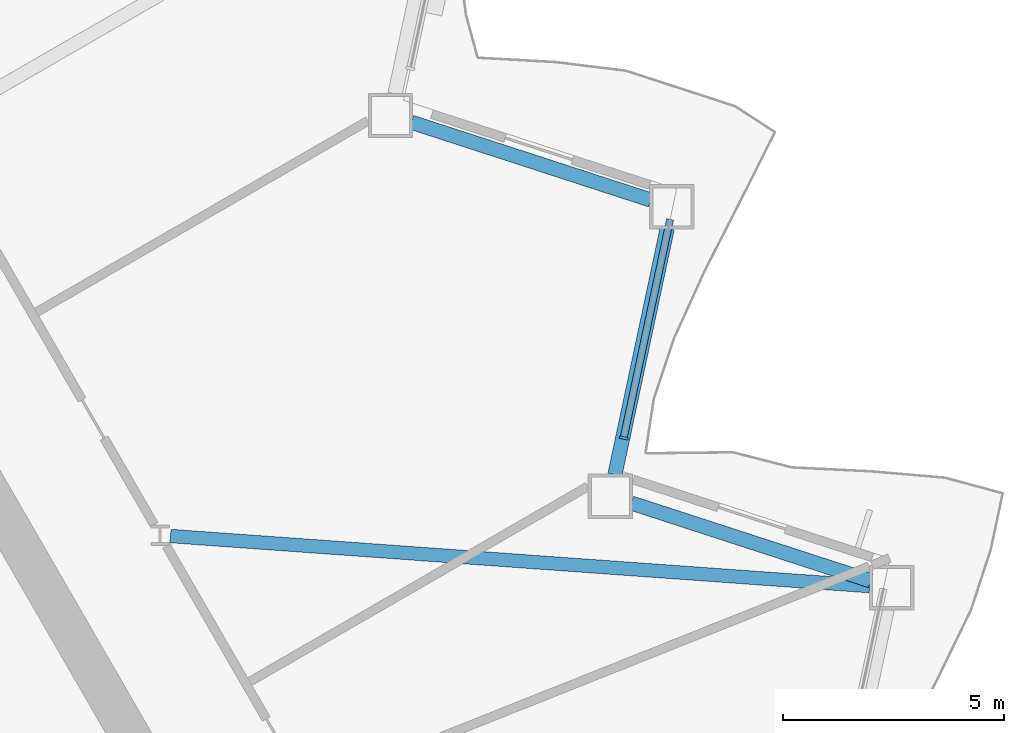
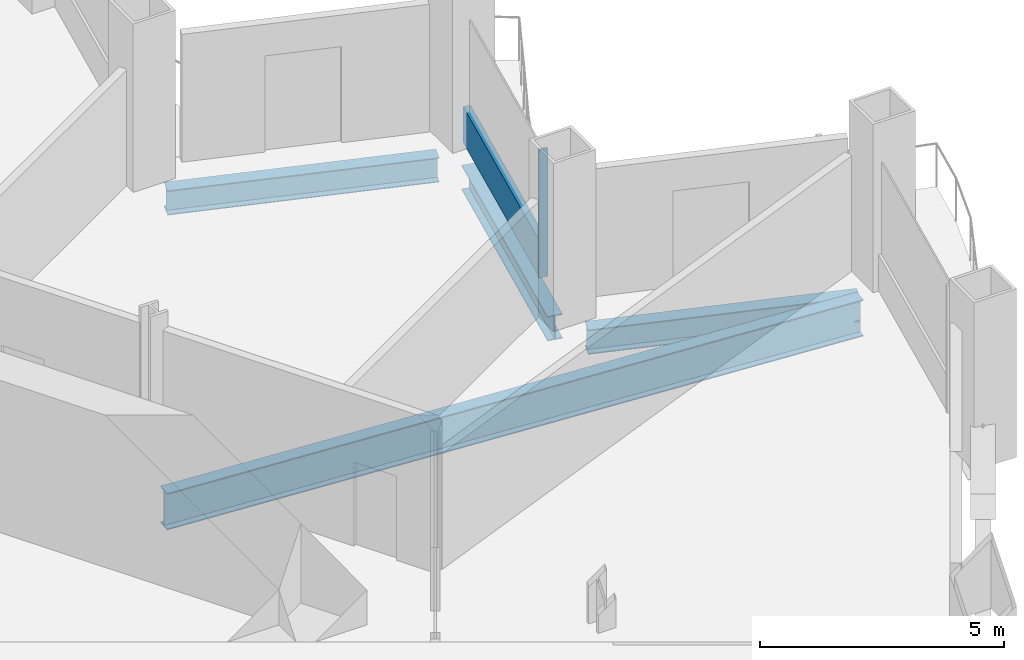
# One storey, part 5 of 20: 4 beams, 2 members, 1 element without a shape of its own.
"""IFC4 building model written with IfcOpenShell, lengths in metres."""

from ifc_helpers import new_model, si_unit, direction, frame, origin, origin_2d, place, context, subcontext, project, spatial, rectangle, i_section, extrude, material, layer, layer_set, material_profile, profile_set, type_object, element, aggregate, save


model = new_model("IFC4")

# Units and contexts
model_context = context("Model", 3, precision=1e-05, world=origin(), true_north=direction((0.0, 1.0)))
body_context = subcontext(model_context, "Body", "Model", "MODEL_VIEW")
ifc_project = project(units=[si_unit("LENGTHUNIT", "METRE"), si_unit("AREAUNIT", "SQUARE_METRE"), si_unit("VOLUMEUNIT", "CUBIC_METRE"), si_unit("PLANEANGLEUNIT", "RADIAN"), si_unit("MASSUNIT", "GRAM", prefix="KILO")], contexts=[model_context])

# Site, building, storey
site_placement = place(None, origin())
site = spatial("IfcSite", under=ifc_project, at=site_placement, CompositionType="ELEMENT")
building_placement = place(site_placement, origin())
building = spatial("IfcBuilding", under=site, at=building_placement, Name="Cormorant Prow Tower", CompositionType="ELEMENT")
storey_placement = place(building_placement, frame((0.0, 0.0, 38.39990234375)))
storey = spatial("IfcBuildingStorey", under=building, at=storey_placement, Name="L07", CompositionType="ELEMENT", Elevation=38.39990234375)

# Curtain wall, members
ifc_material_1 = material(Name="Aluminium 6063-T6", Category="aluminium")
ifc_layer = layer(ifc_material_1, 0.199951171875)
ifc_layer_set = layer_set([ifc_layer], Name="Aluminium 6063-T6")
curtain_wall_type = type_object("IfcCurtainWallType", Name="Office unitised curtain wall 200", PredefinedType="NOTDEFINED", material=ifc_layer_set)
curtain_wall_placement = place(storey_placement, origin())
curtain_wall = element("IfcCurtainWall", 1, at=curtain_wall_placement, inside=storey, type_object=curtain_wall_type, Name="Office curtain wall ENE02", PredefinedType="NOTDEFINED")
ifc_material_2 = material(Name="Aluminium 6063-T6", Category="aluminium")
ifc_material_profile_1 = material_profile(ifc_material_2, rectangle(XDim=0.199951171875, YDim=0.06005859375, at=origin_2d()), Name="Office mullion 60x200")
ifc_profile_set_1 = profile_set([ifc_material_profile_1], Name="Aluminium 6063-T6")
member_type_1 = type_object("IfcMemberType", Name="Office mullion 60x200", PredefinedType="MULLION", material=ifc_profile_set_1)
member_1_placement = place(storey_placement, frame((26.3349609375, -0.85498046875, 0.0), z_axis=(0.0, 0.0, 1.0), x_axis=(-0.978147617041, 0.207911614097, 0.0)))
member_1 = element("IfcMember", 2, at=member_1_placement, type_object=member_type_1, Name="Office mullion ENE02", PredefinedType="MULLION", context=body_context, shape_type="SweptSolid", body=[
    extrude(rectangle(XDim=0.199951171875, YDim=0.06005859375, at=origin_2d()), origin(), (0.0, 0.0, 1.0), 3.18896484375),
])
ifc_material_3 = material(Name="Terracotta", Category="masonry")
ifc_material_profile_2 = material_profile(ifc_material_3, rectangle(XDim=0.159912109375, YDim=0.89990234375, at=origin_2d()), Name="Office terracotta spandrel rail 160x900")
ifc_profile_set_2 = profile_set([ifc_material_profile_2], Name="Terracotta")
member_type_2 = type_object("IfcMemberType", Name="Office terracotta spandrel rail 160x900", PredefinedType="USERDEFINED", material=ifc_profile_set_2)
member_2_placement = place(storey_placement, frame((26.341064453125, -0.82568359375, 0.4501953125), z_axis=(0.20790357337, 0.978149326115, 0.0), x_axis=(-0.978149326115, 0.20790357337, 0.0)))
member_2 = element("IfcMember", 3, at=member_2_placement, type_object=member_type_2, Name="Office spandrel rail ENE02", ObjectType="TRANSOM", PredefinedType="USERDEFINED", context=body_context, shape_type="SweptSolid", body=[
    extrude(rectangle(XDim=0.159912109375, YDim=0.89990234375, at=origin_2d()), origin(), (0.0, 0.0, 1.0), 5.0166015625),
])
aggregate(curtain_wall, [member_1, member_2])

# Beams
ifc_material_4 = material(Name="Structural steel ASTM A992 Gr 50", Category="steel")
ifc_material_profile_3 = material_profile(ifc_material_4, i_section(OverallWidth=0.3046875, OverallDepth=0.914794921875, WebThickness=0.0166015625, FlangeThickness=0.02587890625, at=origin_2d()), Name="W36x160")
ifc_profile_set_3 = profile_set([ifc_material_profile_3], Name="Structural steel ASTM A992 Gr 50")
beam_type_1 = type_object("IfcBeamType", Name="Radial floor beam W36x160", PredefinedType="BEAM", material=ifc_profile_set_3)
beam_1_placement = place(storey_placement, frame((16.099365234375, -3.0703125, -0.857177734375), z_axis=(0.997443412532, -0.071460750045, 0.0), x_axis=(0.071460750045, 0.997443412532, 0.0)))
element("IfcBeam", 4, at=beam_1_placement, inside=storey, type_object=beam_type_1, Name="Radial floor beam FB1 10 L07", PredefinedType="BEAM", context=body_context, shape_type="SweptSolid", body=[
    extrude(i_section(OverallWidth=0.3046875, OverallDepth=0.914794921875, WebThickness=0.0166015625, FlangeThickness=0.02587890625, at=origin_2d()), origin(), (0.0, 0.0, 1.0), 15.831787109375),
])
ifc_material_5 = material(Name="Structural steel ASTM A992 Gr 50", Category="steel")
ifc_material_profile_4 = material_profile(ifc_material_5, i_section(OverallWidth=0.32373046875, OverallDepth=0.611083984375, WebThickness=0.0126953125, FlangeThickness=0.01904296875, at=origin_2d()), Name="W24x104")
ifc_profile_set_4 = profile_set([ifc_material_profile_4], Name="Structural steel ASTM A992 Gr 50")
beam_type_2 = type_object("IfcBeamType", Name="Spandrel beam W24x104", PredefinedType="SPANDREL", material=ifc_profile_set_4)
beam_2_placement = place(storey_placement, frame((31.913818359375, -4.082763671875, -0.70556640625), z_axis=(-0.951049222751, 0.309039440696, 0.0), x_axis=(-0.309039440696, -0.951049222751, 0.0)))
element("IfcBeam", 5, at=beam_2_placement, inside=storey, type_object=beam_type_2, Name="Spandrel beam SB1 ENE01-ENE02 L07", PredefinedType="SPANDREL", context=body_context, shape_type="SweptSolid", body=[
    extrude(i_section(OverallWidth=0.32373046875, OverallDepth=0.611083984375, WebThickness=0.0126953125, FlangeThickness=0.01904296875, at=origin_2d()), origin(), (0.0, 0.0, 1.0), 5.682373046875),
])
beam_3_placement = place(storey_placement, frame((26.137939453125, -1.68310546875, -0.70556640625), z_axis=(0.207900376723, 0.97815000555, 0.0), x_axis=(-0.97815000555, 0.207900376723, 0.0)))
element("IfcBeam", 6, at=beam_3_placement, inside=storey, type_object=beam_type_2, Name="Spandrel beam SB1 ENE02-ENE03 L07", PredefinedType="SPANDREL", context=body_context, shape_type="SweptSolid", body=[
    extrude(i_section(OverallWidth=0.32373046875, OverallDepth=0.611083984375, WebThickness=0.0126953125, FlangeThickness=0.01904296875, at=origin_2d()), origin(), (0.0, 0.0, 1.0), 5.6826171875),
])
beam_4_placement = place(storey_placement, frame((26.94775390625, 4.518798828125, -0.70556640625), z_axis=(-0.951061849722, 0.309000579292, 0.0), x_axis=(-0.309000579292, -0.951061849722, 0.0)))
element("IfcBeam", 7, at=beam_4_placement, inside=storey, type_object=beam_type_2, Name="Spandrel beam SB1 ENE03-ENE04 L07", PredefinedType="SPANDREL", context=body_context, shape_type="SweptSolid", body=[
    extrude(i_section(OverallWidth=0.32373046875, OverallDepth=0.611083984375, WebThickness=0.0126953125, FlangeThickness=0.01904296875, at=origin_2d()), origin(), (0.0, 0.0, 1.0), 5.682373046875),
])

save(model, "model.ifc")
